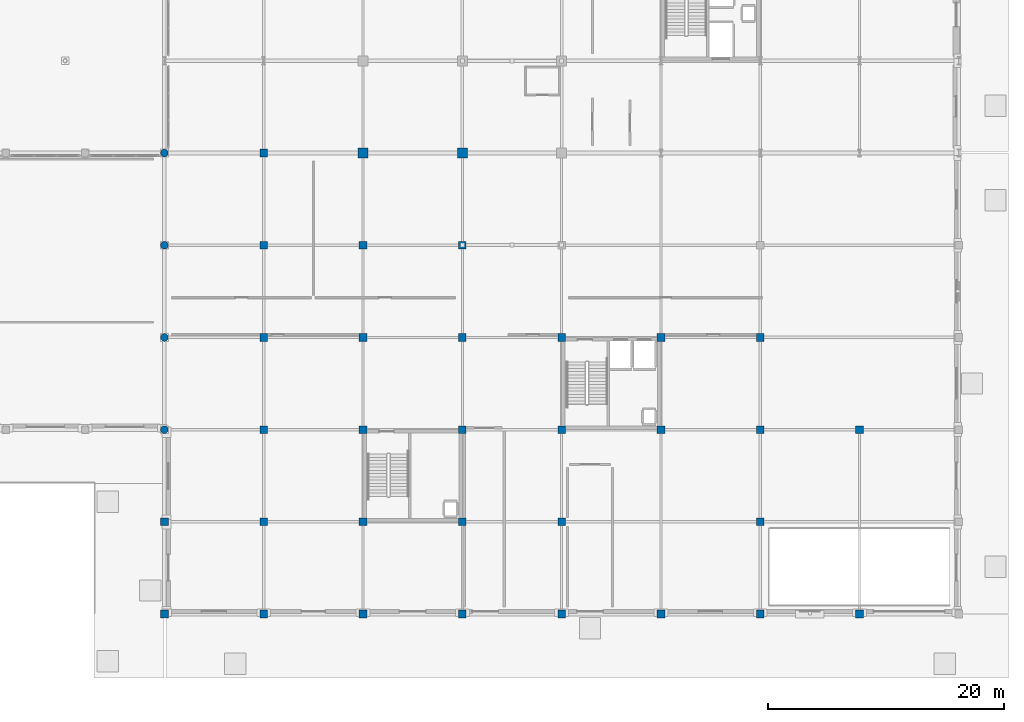
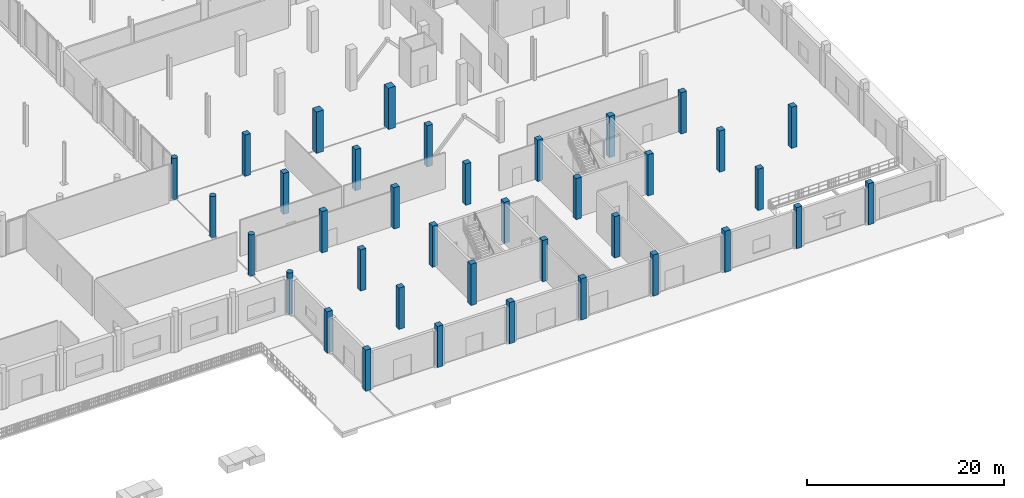
# One storey, part 12 of 80: 37 columns.
"""IFC4 building model written with IfcOpenShell, lengths in metres."""

import ifcopenshell
import ifcopenshell.guid

model = None  # the IFC model being written
_history = None  # IfcOwnerHistory: only IFC2X3 demands one
_inside = {}  # id of a spatial element -> (the spatial element, [elements in it])
_under = {}  # id of a project, library or spatial element -> (it, [spatial elements below it])
_declared = {}  # id of a project -> (the project, [libraries it declares])
_typed = {}  # id of a type object -> (the type object, [elements of that type])
_made_of = {}  # id of a material, layer set ... -> (it, [elements and type objects made of it])


def new_model(schema):
    """Start an empty IFC model of exactly this schema.

    Asked for "IFC4X3", IfcOpenShell would pick the latest addendum, in which some entities
    have other attributes; the version numbers below select the first issue.
    IFC2X3 requires an IfcOwnerHistory on every rooted entity: one is made here for all.
    """
    global model, _history
    if schema == "IFC4X3":
        model = ifcopenshell.file(schema_version=(4, 3, 0, 0))
    else:
        model = ifcopenshell.file(schema=schema)
    _inside.clear()
    _under.clear()
    _declared.clear()
    _typed.clear()
    _made_of.clear()
    _history = None
    if model.schema == "IFC2X3":
        org = make("IfcOrganization", Name="unknown")
        user = make(
            "IfcPersonAndOrganization",
            ThePerson=make("IfcPerson", FamilyName="unknown"),
            TheOrganization=org,
        )
        app = make(
            "IfcApplication",
            ApplicationDeveloper=org,
            Version="unknown",
            ApplicationFullName="unknown",
            ApplicationIdentifier="unknown",
        )
        _history = make(
            "IfcOwnerHistory",
            OwningUser=user,
            OwningApplication=app,
            ChangeAction="ADDED",
            CreationDate=0,
        )
    return model


def make(cls, **values):
    """One entity of the class cls with the attributes given. An attribute that is None is left unset."""
    return model.create_entity(
        cls, **{name: value for name, value in values.items() if value is not None}
    )


def rooted(cls, **values):
    """An entity with a GlobalId (a new one), such as an element, a storey or a relation."""
    return make(cls, GlobalId=ifcopenshell.guid.new(), OwnerHistory=_history, **values)


def si_unit(unit_type, name, prefix=None):
    """IfcSIUnit, for example si_unit("LENGTHUNIT", "METRE", prefix="MILLI")."""
    return make("IfcSIUnit", UnitType=unit_type, Prefix=prefix, Name=name)


def assignment(units):
    """IfcUnitAssignment: the units of a project."""
    return None if units is None else make("IfcUnitAssignment", Units=units)


def point(xyz):
    """IfcCartesianPoint."""
    return None if xyz is None else make("IfcCartesianPoint", Coordinates=xyz)


def direction(xyz):
    """IfcDirection."""
    return None if xyz is None else make("IfcDirection", DirectionRatios=xyz)


def frame(location, z_axis=None, x_axis=None):
    """IfcAxis2Placement3D, a coordinate frame: its origin and axes. An axis left out is left unset."""
    return make(
        "IfcAxis2Placement3D",
        Location=point(location),
        Axis=direction(z_axis),
        RefDirection=direction(x_axis),
    )


def frame_2d(location, x_axis=None):
    """IfcAxis2Placement2D, a coordinate frame in the plane: its origin and x axis."""
    return make(
        "IfcAxis2Placement2D", Location=point(location), RefDirection=direction(x_axis)
    )


def origin():
    """The frame at (0, 0, 0) with its axes left unset."""
    return frame((0.0, 0.0, 0.0))


def origin_2d():
    """The frame at (0, 0) in the plane with its x axis left unset."""
    return frame_2d((0.0, 0.0))


def place(relative_to, where):
    """IfcLocalPlacement: puts the frame where relative to a parent placement (None: the world)."""
    return make(
        "IfcLocalPlacement", PlacementRelTo=relative_to, RelativePlacement=where
    )


def context(
    kind, dimensions, precision=None, world=None, true_north=None, identifier=None
):
    """IfcGeometricRepresentationContext, for example the 3D "Model" context."""
    return make(
        "IfcGeometricRepresentationContext",
        ContextIdentifier=identifier,
        ContextType=kind,
        CoordinateSpaceDimension=dimensions,
        Precision=precision,
        WorldCoordinateSystem=world,
        TrueNorth=true_north,
    )


def subcontext(parent, identifier, kind, view, scale=None):
    """IfcGeometricRepresentationSubContext, for example "Body" below "Model"."""
    return make(
        "IfcGeometricRepresentationSubContext",
        ContextIdentifier=identifier,
        ContextType=kind,
        ParentContext=parent,
        TargetScale=scale,
        TargetView=view,
    )


def project(units=None, contexts=None):
    """IfcProject with its units and contexts."""
    return rooted(
        "IfcProject",
        Name="project",
        RepresentationContexts=contexts,
        UnitsInContext=assignment(units),
    )


def spatial(cls, under=None, at=None, **own):
    """A site, building, storey or space (cls), placed at a placement, below another one or the project."""
    s = rooted(cls, ObjectPlacement=at, **own)
    if under is not None:
        _under.setdefault(under.id(), (under, []))[1].append(s)
    return s


def profile(cls, at=None, kind="AREA", **sizes):
    """A parametric profile (cls). Its sizes go by their IFC names, for example OverallWidth=200.0."""
    return make(cls, ProfileType=kind, Position=at, **sizes)


def rectangle(**sizes):
    """IfcRectangleProfileDef."""
    return profile("IfcRectangleProfileDef", **sizes)


def circle(**sizes):
    """IfcCircleProfileDef."""
    return profile("IfcCircleProfileDef", **sizes)


def extrude(swept, where, along, depth):
    """IfcExtrudedAreaSolid: the profile swept, set in the frame where, extruded along a direction by depth."""
    return make(
        "IfcExtrudedAreaSolid",
        SweptArea=swept,
        Position=where,
        ExtrudedDirection=direction(along),
        Depth=depth,
    )


def shape(context_of_items, identifier, shape_type, items):
    """IfcShapeRepresentation: the items that make up one representation, for example the "Body"."""
    return make(
        "IfcShapeRepresentation",
        ContextOfItems=context_of_items,
        RepresentationIdentifier=identifier,
        RepresentationType=shape_type,
        Items=items,
    )


def material(Name=None, Category=None):
    """IfcMaterial."""
    return make("IfcMaterial", Name=Name, Category=Category)


def material_profile(
    of_material, cross_section, Name=None, Category=None, Priority=None
):
    """IfcMaterialProfile: a cross section and its material."""
    return make(
        "IfcMaterialProfile",
        Name=Name,
        Material=of_material,
        Profile=cross_section,
        Priority=Priority,
        Category=Category,
    )


def profile_set(profiles, Name=None, composite=None):
    """IfcMaterialProfileSet."""
    return make(
        "IfcMaterialProfileSet",
        Name=Name,
        MaterialProfiles=profiles,
        CompositeProfile=composite,
    )


def made_of(thing, what):
    """Note that an element or type object is made of a material, layer set ...; save() writes the relation."""
    if what is not None:
        _made_of.setdefault(what.id(), (what, []))[1].append(thing)
    return thing


def type_object(cls, material=None, **own):
    """A type object (cls), such as IfcWallType, which elements share."""
    return made_of(rooted(cls, **own), material)


def element(
    cls,
    number,
    at=None,
    inside=None,
    cuts=None,
    type_object=None,
    material=None,
    context=None,
    identifier="Body",
    shape_type=None,
    held_by="IfcProductDefinitionShape",
    body=None,
    shapes=None,
    **own,
):
    """One element of the class cls, such as IfcWall. Its Tag is "e" and its number.

    at: its placement. inside: the storey or other place that contains it. cuts: it is an
    opening in that element (IfcRelVoidsElement). A single representation is given by context,
    identifier, shape_type and body (its items); several are given by shapes. held_by: the class
    of the entity that holds the representations. save() writes the other relations.
    """
    e = rooted(cls, Tag="e%d" % number, ObjectPlacement=at, **own)
    if body is not None:
        shapes = [shape(context, identifier, shape_type, body)]
    if shapes is not None:
        e.Representation = make(held_by, Representations=shapes)
    if inside is not None:
        _inside.setdefault(inside.id(), (inside, []))[1].append(e)
    if cuts is not None:
        rooted(
            "IfcRelVoidsElement", RelatingBuildingElement=cuts, RelatedOpeningElement=e
        )
    if type_object is not None:
        _typed.setdefault(type_object.id(), (type_object, []))[1].append(e)
    return made_of(e, material)


def aggregate(whole, parts):
    """IfcRelAggregates: a whole, such as a stair, and the parts it consists of."""
    return rooted("IfcRelAggregates", RelatingObject=whole, RelatedObjects=parts)


def save(model, path):
    """Write the relations noted so far, then the file.

    IfcRelAggregates (storeys below a building ...), IfcRelContainedInSpatialStructure (elements
    in a storey), IfcRelDefinesByType, IfcRelAssociatesMaterial and IfcRelDeclares: one each for
    every whole, place, type object, material and project.
    """
    for whole, parts in _under.values():
        aggregate(whole, parts)
    for where, things in _inside.values():
        rooted(
            "IfcRelContainedInSpatialStructure",
            RelatedElements=things,
            RelatingStructure=where,
        )
    for kind, things in _typed.values():
        rooted("IfcRelDefinesByType", RelatedObjects=things, RelatingType=kind)
    for what, things in _made_of.values():
        rooted("IfcRelAssociatesMaterial", RelatedObjects=things, RelatingMaterial=what)
    for by, libraries in _declared.values():
        rooted("IfcRelDeclares", RelatingContext=by, RelatedDefinitions=libraries)
    model.write(path)


model = new_model("IFC4")

# Units and contexts
model_context = context("Model", 3, precision=1e-05, world=origin(), true_north=direction((0.0, 1.0)))
body_context = subcontext(model_context, "Body", "Model", "MODEL_VIEW")
ifc_project = project(units=[si_unit("LENGTHUNIT", "METRE"), si_unit("AREAUNIT", "SQUARE_METRE"), si_unit("VOLUMEUNIT", "CUBIC_METRE"), si_unit("PLANEANGLEUNIT", "RADIAN"), si_unit("MASSUNIT", "GRAM", prefix="KILO")], contexts=[model_context])

# Site, building, storey
site_placement = place(None, origin())
site = spatial("IfcSite", under=ifc_project, at=site_placement, CompositionType="ELEMENT")
building_placement = place(site_placement, origin())
building = spatial("IfcBuilding", under=site, at=building_placement, Name="Nabrawat Pavilion Hospital", CompositionType="ELEMENT")
storey_placement = place(building_placement, origin())
storey = spatial("IfcBuildingStorey", under=building, at=storey_placement, Name="L00", CompositionType="ELEMENT", Elevation=0.0)

# Columns
ifc_material = material(Name="Concrete C40/50", Category="concrete")
ifc_material_profile_1 = material_profile(ifc_material, circle(Radius=0.324951171875, at=origin_2d()), Name="RC D650")
ifc_profile_set_1 = profile_set([ifc_material_profile_1], Name="Concrete C40/50")
column_type_1 = type_object("IfcColumnType", Name="Expressed Pavilion Column D650", PredefinedType="COLUMN", material=ifc_profile_set_1)
for number, where, z_axis, x_axis, name in (
    (1, (126.0, 23.39990234375, 0.0), (0.0, 0.0, 1.0), (1.0, 0.0, 0.0), "L00 Expressed Pavilion Column MH-E01"),
    (2, (126.0, 31.199951171875, 0.0), (0.0, 0.0, 1.0), (1.0, 0.0, 0.0), "L00 Expressed Pavilion Column MH-E02"),
    (3, (126.0, 39.0, 0.0), (0.0, 0.0, 1.0), (1.0, 0.0, 0.0), "L00 Expressed Pavilion Column MH-N10"),
    (4, (126.0, 15.60009765625, 0.0), (0.0, 0.0, 1.0), (1.0, 0.0, 0.0), "L00 Expressed Pavilion Column MH-S10"),
):
    element("IfcColumn", number, at=place(storey_placement, frame(where, z_axis=z_axis, x_axis=x_axis)), inside=storey, type_object=column_type_1, Name=name, PredefinedType="COLUMN", context=body_context, shape_type="SweptSolid", body=[
        extrude(circle(Radius=0.324951171875, at=origin_2d()), origin(), (0.0, 0.0, 1.0), 5.10009765625),
    ])
ifc_material_profile_2 = material_profile(ifc_material, rectangle(XDim=0.85009765625, YDim=0.85009765625, at=origin_2d()), Name="RC 850x850")
ifc_profile_set_2 = profile_set([ifc_material_profile_2], Name="Concrete C40/50")
column_type_2 = type_object("IfcColumnType", Name="Lower Ward RC Column 850x850", PredefinedType="COLUMN", material=ifc_profile_set_2)
for number, where, z_axis, x_axis, name in (
    (5, (142.800048828125, 39.0, 0.0), (0.0, 0.0, 1.0), (1.0, 0.0, 0.0), "L00 Structural Column G-18-F1"),
    (6, (151.199951171875, 39.0, 0.0), (0.0, 0.0, 1.0), (1.0, 0.0, 0.0), "L00 Structural Column G-19-F1"),
):
    element("IfcColumn", number, at=place(storey_placement, frame(where, z_axis=z_axis, x_axis=x_axis)), inside=storey, type_object=column_type_2, Name=name, PredefinedType="COLUMN", context=body_context, shape_type="SweptSolid", body=[
        extrude(rectangle(XDim=0.85009765625, YDim=0.85009765625, at=origin_2d()), origin(), (0.0, 0.0, 1.0), 5.10009765625),
    ])
ifc_material_profile_3 = material_profile(ifc_material, rectangle(XDim=0.64990234375, YDim=0.64990234375, at=origin_2d()), Name="RC 650x650")
ifc_profile_set_3 = profile_set([ifc_material_profile_3], Name="Concrete C40/50")
column_type_3 = type_object("IfcColumnType", Name="Outpatient RC Column 650x650", PredefinedType="COLUMN", material=ifc_profile_set_3)
for number, where, z_axis, x_axis, name in (
    (7, (126.0, 0.0, 0.0), (0.0, 0.0, 1.0), (1.0, 0.0, 0.0), "L00 Structural Column G-16A-A"),
    (8, (126.0, 7.800048828125, 0.0), (0.0, 0.0, 1.0), (1.0, 0.0, 0.0), "L00 Structural Column G-16A-B"),
    (9, (134.39990234375, 0.0, 0.0), (0.0, 0.0, 1.0), (1.0, 0.0, 0.0), "L00 Structural Column G-17-A"),
    (10, (134.39990234375, 7.800048828125, 0.0), (0.0, 0.0, 1.0), (1.0, 0.0, 0.0), "L00 Structural Column G-17-B"),
    (11, (134.39990234375, 15.60009765625, 0.0), (0.0, 0.0, 1.0), (1.0, 0.0, 0.0), "L00 Structural Column G-17-C"),
    (12, (134.39990234375, 23.39990234375, 0.0), (0.0, 0.0, 1.0), (1.0, 0.0, 0.0), "L00 Structural Column G-17-D"),
    (13, (134.39990234375, 31.199951171875, 0.0), (0.0, 0.0, 1.0), (1.0, 0.0, 0.0), "L00 Structural Column G-17-E"),
    (14, (134.39990234375, 39.0, 0.0), (0.0, 0.0, 1.0), (1.0, 0.0, 0.0), "L00 Structural Column G-17-F1"),
    (15, (142.800048828125, 0.0, 0.0), (0.0, 0.0, 1.0), (1.0, 0.0, 0.0), "L00 Structural Column G-18-A"),
    (16, (142.800048828125, 7.800048828125, 0.0), (0.0, 0.0, 1.0), (1.0, 0.0, 0.0), "L00 Structural Column G-18-B"),
    (17, (142.800048828125, 15.60009765625, 0.0), (0.0, 0.0, 1.0), (1.0, 0.0, 0.0), "L00 Structural Column G-18-C"),
    (18, (142.800048828125, 23.39990234375, 0.0), (0.0, 0.0, 1.0), (1.0, 0.0, 0.0), "L00 Structural Column G-18-D"),
    (19, (142.800048828125, 31.199951171875, 0.0), (0.0, 0.0, 1.0), (1.0, 0.0, 0.0), "L00 Structural Column G-18-E"),
    (20, (151.199951171875, 0.0, 0.0), (0.0, 0.0, 1.0), (1.0, 0.0, 0.0), "L00 Structural Column G-19-A"),
    (21, (151.199951171875, 7.800048828125, 0.0), (0.0, 0.0, 1.0), (1.0, 0.0, 0.0), "L00 Structural Column G-19-B"),
    (22, (151.199951171875, 15.60009765625, 0.0), (0.0, 0.0, 1.0), (1.0, 0.0, 0.0), "L00 Structural Column G-19-C"),
    (23, (151.199951171875, 23.39990234375, 0.0), (0.0, 0.0, 1.0), (1.0, 0.0, 0.0), "L00 Structural Column G-19-D"),
    (24, (151.199951171875, 31.199951171875, 0.0), (0.0, 0.0, 1.0), (1.0, 0.0, 0.0), "L00 Structural Column G-19-E"),
    (25, (159.60009765625, 0.0, 0.0), (0.0, 0.0, 1.0), (1.0, 0.0, 0.0), "L00 Structural Column G-20-A"),
    (26, (159.60009765625, 7.800048828125, 0.0), (0.0, 0.0, 1.0), (1.0, 0.0, 0.0), "L00 Structural Column G-20-B"),
    (27, (159.60009765625, 15.60009765625, 0.0), (0.0, 0.0, 1.0), (1.0, 0.0, 0.0), "L00 Structural Column G-20-C"),
    (28, (159.60009765625, 23.39990234375, 0.0), (0.0, 0.0, 1.0), (1.0, 0.0, 0.0), "L00 Structural Column G-20-D"),
    (29, (168.0, 0.0, 0.0), (0.0, 0.0, 1.0), (1.0, 0.0, 0.0), "L00 Structural Column G-21-A"),
    (30, (168.0, 15.60009765625, 0.0), (0.0, 0.0, 1.0), (1.0, 0.0, 0.0), "L00 Structural Column G-21-C"),
    (31, (168.0, 23.39990234375, 0.0), (0.0, 0.0, 1.0), (1.0, 0.0, 0.0), "L00 Structural Column G-21-D"),
    (32, (176.39990234375, 0.0, 0.0), (0.0, 0.0, 1.0), (1.0, 0.0, 0.0), "L00 Structural Column G-22-A"),
    (33, (176.39990234375, 7.800048828125, 0.0), (0.0, 0.0, 1.0), (1.0, 0.0, 0.0), "L00 Structural Column G-22-B"),
    (34, (176.39990234375, 15.60009765625, 0.0), (0.0, 0.0, 1.0), (1.0, 0.0, 0.0), "L00 Structural Column G-22-C"),
    (35, (176.39990234375, 23.39990234375, 0.0), (0.0, 0.0, 1.0), (1.0, 0.0, 0.0), "L00 Structural Column G-22-D"),
    (36, (184.800048828125, 0.0, 0.0), (0.0, 0.0, 1.0), (1.0, 0.0, 0.0), "L00 Structural Column G-23-A"),
    (37, (184.800048828125, 15.60009765625, 0.0), (0.0, 0.0, 1.0), (1.0, 0.0, 0.0), "L00 Structural Column G-23-C"),
):
    element("IfcColumn", number, at=place(storey_placement, frame(where, z_axis=z_axis, x_axis=x_axis)), inside=storey, type_object=column_type_3, Name=name, PredefinedType="COLUMN", context=body_context, shape_type="SweptSolid", body=[
        extrude(rectangle(XDim=0.64990234375, YDim=0.64990234375, at=origin_2d()), origin(), (0.0, 0.0, 1.0), 5.10009765625),
    ])

save(model, "model.ifc")
